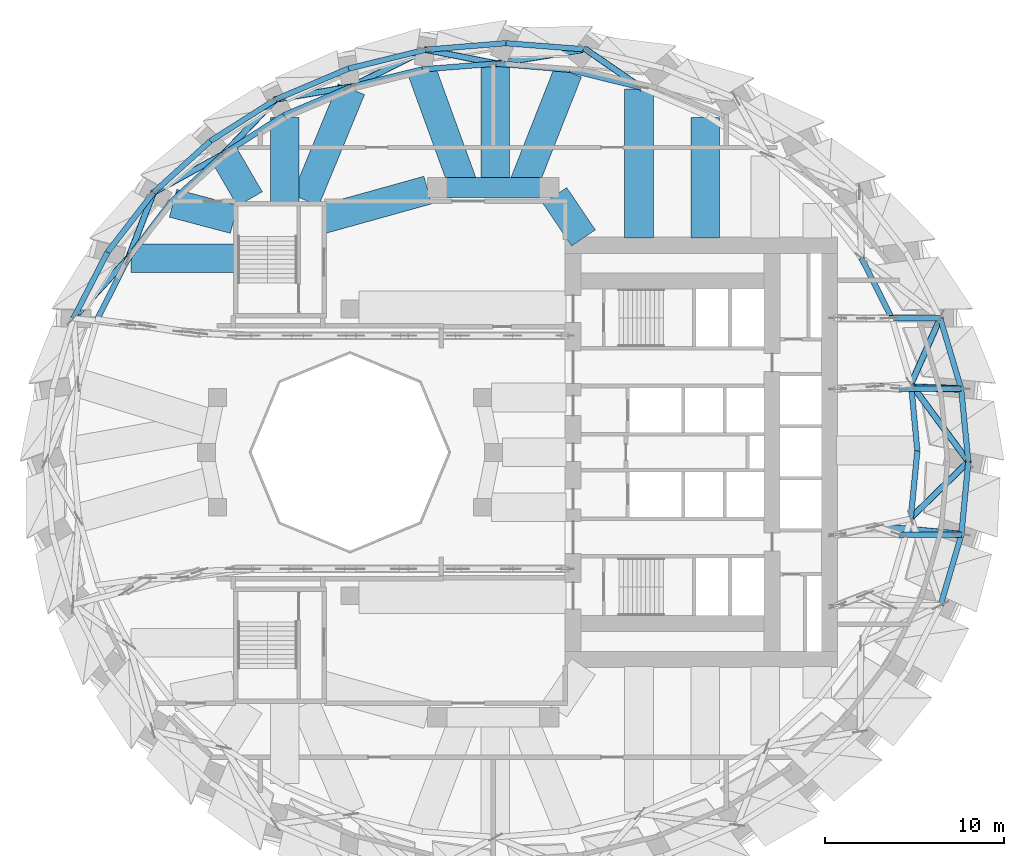
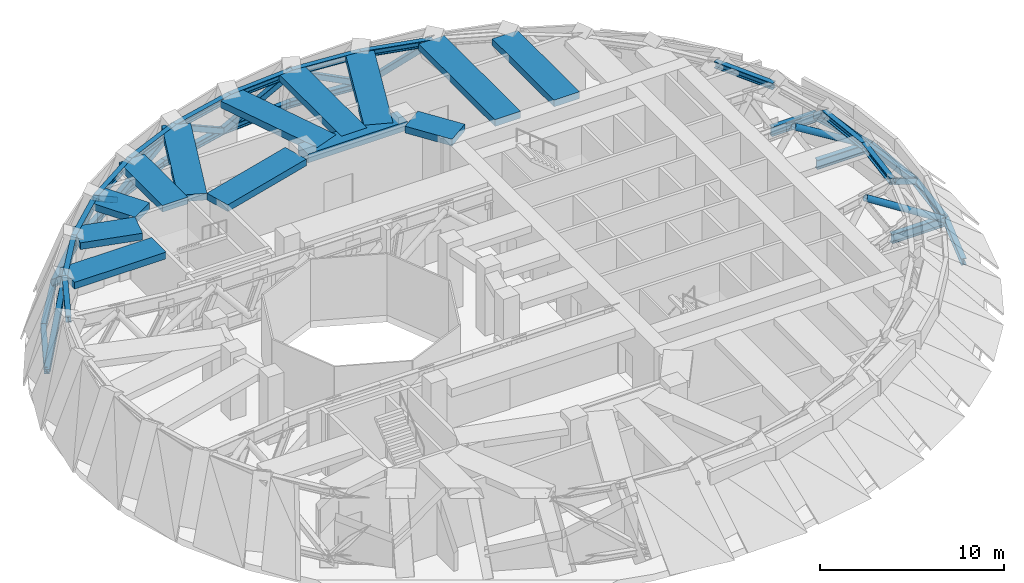
# One storey, part 5 of 14: 41 members, 13 beams.
"""IFC4 building model written with IfcOpenShell, lengths in metres."""

from ifc_helpers import new_model, si_unit, direction, frame, origin, origin_2d, place, context, subcontext, project, spatial, rectangle, hollow_rectangle, hollow_circle, i_section, extrude, material, material_profile, profile_set, type_object, element, save


model = new_model("IFC4")

# Units and contexts
model_context = context("Model", 3, precision=1e-05, world=origin(), true_north=direction((0.0, 1.0)))
body_context = subcontext(model_context, "Body", "Model", "MODEL_VIEW")
ifc_project = project(units=[si_unit("LENGTHUNIT", "METRE"), si_unit("AREAUNIT", "SQUARE_METRE"), si_unit("VOLUMEUNIT", "CUBIC_METRE"), si_unit("PLANEANGLEUNIT", "RADIAN"), si_unit("MASSUNIT", "GRAM", prefix="KILO")], contexts=[model_context])

# Site, building, storey
site_placement = place(None, origin())
site = spatial("IfcSite", under=ifc_project, at=site_placement, CompositionType="ELEMENT")
building_placement = place(site_placement, origin())
building = spatial("IfcBuilding", under=site, at=building_placement, Name="Taillehof Tower", CompositionType="ELEMENT")
storey_placement = place(building_placement, frame((0.0, 0.0, 135.10009765625)))
storey = spatial("IfcBuildingStorey", under=building, at=storey_placement, Name="L38", CompositionType="ELEMENT", Elevation=135.10009765625)

# Members
ifc_material_1 = material(Name="Steel S460M", Category="steel")
ifc_material_profile_1 = material_profile(ifc_material_1, i_section(OverallWidth=0.306884765625, OverallDepth=0.431884765625, WebThickness=0.02099609375, FlangeThickness=0.0400390625, FilletRadius=0.027099609375, at=origin_2d()), Name="HEM 400")
ifc_profile_set_1 = profile_set([ifc_material_profile_1], Name="Steel S460M")
member_type_1 = type_object("IfcMemberType", Name="Belt truss chord HEM 400", PredefinedType="CHORD", material=ifc_profile_set_1)
member_1_placement = place(storey_placement, frame((26.49072265625, -0.523681640625, 0.89990234375), z_axis=(-0.097533121967, 0.99523227948, 0.0), x_axis=(-0.99523227948, -0.097533121967, 0.0)))
element("IfcMember", 1, at=member_1_placement, inside=storey, type_object=member_type_1, Name="Belt truss bottom chord BB01", PredefinedType="CHORD", context=body_context, shape_type="SweptSolid", body=[
    extrude(i_section(OverallWidth=0.306884765625, OverallDepth=0.431884765625, WebThickness=0.02099609375, FlangeThickness=0.0400390625, FilletRadius=0.027099609375, at=origin_2d()), origin(), (0.0, 0.0, 1.0), 4.085205078125),
])
member_2_placement = place(storey_placement, frame((23.647216796875, 0.079345703125, 3.8740234375), z_axis=(-0.093064508535, 0.995660081178, 0.0), x_axis=(-0.995660081178, -0.093064508535, 0.0)))
element("IfcMember", 2, at=member_2_placement, inside=storey, type_object=member_type_1, Name="Belt truss top chord BT01", PredefinedType="CHORD", context=body_context, shape_type="SweptSolid", body=[
    extrude(i_section(OverallWidth=0.306884765625, OverallDepth=0.431884765625, WebThickness=0.02099609375, FlangeThickness=0.0400390625, FilletRadius=0.027099609375, at=origin_2d()), origin(), (0.0, 0.0, 1.0), 3.75146484375),
])
member_3_placement = place(storey_placement, frame((26.09228515625, 3.5419921875, 0.89990234375), z_axis=(-0.284971742656, 0.958535917891, 0.0), x_axis=(-0.958535917891, -0.284971742656, 0.0)))
element("IfcMember", 3, at=member_3_placement, inside=storey, type_object=member_type_1, Name="Belt truss bottom chord BB02", PredefinedType="CHORD", context=body_context, shape_type="SweptSolid", body=[
    extrude(i_section(OverallWidth=0.306884765625, OverallDepth=0.431884765625, WebThickness=0.02099609375, FlangeThickness=0.0400390625, FilletRadius=0.027099609375, at=origin_2d()), origin(), (0.0, 0.0, 1.0), 4.111328125),
])
member_4_placement = place(storey_placement, frame((22.247802734375, 7.438232421875, 3.8740234375), z_axis=(-0.451204473496, 0.892420597643, 0.0), x_axis=(-0.892420597643, -0.451204473496, 0.0)))
element("IfcMember", 4, at=member_4_placement, inside=storey, type_object=member_type_1, Name="Belt truss top chord BT03", PredefinedType="CHORD", context=body_context, shape_type="SweptSolid", body=[
    extrude(i_section(OverallWidth=0.306884765625, OverallDepth=0.431884765625, WebThickness=0.02099609375, FlangeThickness=0.0400390625, FilletRadius=0.027099609375, at=origin_2d()), origin(), (0.0, 0.0, 1.0), 3.81298828125),
])
member_5_placement = place(storey_placement, frame((8.230712890625, 20.351318359375, 3.8740234375), z_axis=(-0.970457688286, 0.24127137262, 0.0), x_axis=(-0.24127137262, -0.970457688286, 0.0)))
element("IfcMember", 5, at=member_5_placement, inside=storey, type_object=member_type_1, Name="Belt truss top chord BT08", PredefinedType="CHORD", context=body_context, shape_type="SweptSolid", body=[
    extrude(i_section(OverallWidth=0.306884765625, OverallDepth=0.431884765625, WebThickness=0.02099609375, FlangeThickness=0.0400390625, FilletRadius=0.027099609375, at=origin_2d()), origin(), (0.0, 0.0, 1.0), 4.090087890625),
])
member_6_placement = place(storey_placement, frame((5.152099609375, 22.47216796875, 0.89990234375), z_axis=(-0.997022944443, 0.077105435964, 0.0), x_axis=(-0.077105435964, -0.997022944443, 0.0)))
element("IfcMember", 6, at=member_6_placement, inside=storey, type_object=member_type_1, Name="Belt truss bottom chord BB09", PredefinedType="CHORD", context=body_context, shape_type="SweptSolid", body=[
    extrude(i_section(OverallWidth=0.306884765625, OverallDepth=0.431884765625, WebThickness=0.02099609375, FlangeThickness=0.0400390625, FilletRadius=0.027099609375, at=origin_2d()), origin(), (0.0, 0.0, 1.0), 4.47412109375),
])
member_7_placement = place(storey_placement, frame((4.261474609375, 21.338134765625, 3.8740234375), z_axis=(-0.996585325526, 0.082569297847, 0.0), x_axis=(-0.082569297847, -0.996585325526, 0.0)))
element("IfcMember", 7, at=member_7_placement, inside=storey, type_object=member_type_1, Name="Belt truss top chord BT09", PredefinedType="CHORD", context=body_context, shape_type="SweptSolid", body=[
    extrude(i_section(OverallWidth=0.306884765625, OverallDepth=0.431884765625, WebThickness=0.02099609375, FlangeThickness=0.0400390625, FilletRadius=0.027099609375, at=origin_2d()), origin(), (0.0, 0.0, 1.0), 4.115966796875),
])
member_8_placement = place(storey_placement, frame((0.69140625, 22.817138671875, 0.89990234375), z_axis=(-0.996722385212, -0.080898002548, 0.0), x_axis=(0.080898002548, -0.996722385212, 0.0)))
element("IfcMember", 8, at=member_8_placement, inside=storey, type_object=member_type_1, Name="Belt truss bottom chord BB10", PredefinedType="CHORD", context=body_context, shape_type="SweptSolid", body=[
    extrude(i_section(OverallWidth=0.306884765625, OverallDepth=0.431884765625, WebThickness=0.02099609375, FlangeThickness=0.0400390625, FilletRadius=0.027099609375, at=origin_2d()), origin(), (0.0, 0.0, 1.0), 4.469482421875),
])
member_9_placement = place(storey_placement, frame((0.15966796875, 21.677978515625, 3.8740234375), z_axis=(-0.996984381487, -0.077602468197, 0.0), x_axis=(0.077602468197, -0.996984381487, 0.0)))
element("IfcMember", 9, at=member_9_placement, inside=storey, type_object=member_type_1, Name="Belt truss top chord BT10", PredefinedType="CHORD", context=body_context, shape_type="SweptSolid", body=[
    extrude(i_section(OverallWidth=0.306884765625, OverallDepth=0.431884765625, WebThickness=0.02099609375, FlangeThickness=0.0400390625, FilletRadius=0.027099609375, at=origin_2d()), origin(), (0.0, 0.0, 1.0), 4.121337890625),
])
member_10_placement = place(storey_placement, frame((-3.763427734375, 22.45556640625, 0.89990234375), z_axis=(-0.97136801119, -0.2375798536, 0.0), x_axis=(0.2375798536, -0.97136801119, 0.0)))
element("IfcMember", 10, at=member_10_placement, inside=storey, type_object=member_type_1, Name="Belt truss bottom chord BB11", PredefinedType="CHORD", context=body_context, shape_type="SweptSolid", body=[
    extrude(i_section(OverallWidth=0.306884765625, OverallDepth=0.431884765625, WebThickness=0.02099609375, FlangeThickness=0.0400390625, FilletRadius=0.027099609375, at=origin_2d()), origin(), (0.0, 0.0, 1.0), 4.4423828125),
])
member_11_placement = place(storey_placement, frame((-3.94921875, 21.358154296875, 3.8740234375), z_axis=(-0.971593742045, -0.236655024072, 0.0), x_axis=(0.236655024072, -0.971593742045, 0.0)))
element("IfcMember", 11, at=member_11_placement, inside=storey, type_object=member_type_1, Name="Belt truss top chord BT11", PredefinedType="CHORD", context=body_context, shape_type="SweptSolid", body=[
    extrude(i_section(OverallWidth=0.306884765625, OverallDepth=0.431884765625, WebThickness=0.02099609375, FlangeThickness=0.0400390625, FilletRadius=0.027099609375, at=origin_2d()), origin(), (0.0, 0.0, 1.0), 4.10595703125),
])
member_12_placement = place(storey_placement, frame((-8.07861328125, 21.400146484375, 0.89990234375), z_axis=(-0.920592066045, -0.390525604711, 0.0), x_axis=(0.390525604711, -0.920592066045, 0.0)))
element("IfcMember", 12, at=member_12_placement, inside=storey, type_object=member_type_1, Name="Belt truss bottom chord BB12", PredefinedType="CHORD", context=body_context, shape_type="SweptSolid", body=[
    extrude(i_section(OverallWidth=0.306884765625, OverallDepth=0.431884765625, WebThickness=0.02099609375, FlangeThickness=0.0400390625, FilletRadius=0.027099609375, at=origin_2d()), origin(), (0.0, 0.0, 1.0), 4.396728515625),
])
member_13_placement = place(storey_placement, frame((-7.9384765625, 20.386474609375, 3.8740234375), z_axis=(-0.920098060124, -0.391688089884, 0.0), x_axis=(0.391688089884, -0.920098060124, 0.0)))
element("IfcMember", 13, at=member_13_placement, inside=storey, type_object=member_type_1, Name="Belt truss top chord BT12", PredefinedType="CHORD", context=body_context, shape_type="SweptSolid", body=[
    extrude(i_section(OverallWidth=0.306884765625, OverallDepth=0.431884765625, WebThickness=0.02099609375, FlangeThickness=0.0400390625, FilletRadius=0.027099609375, at=origin_2d()), origin(), (0.0, 0.0, 1.0), 4.069580078125),
])
member_14_placement = place(storey_placement, frame((-12.126220703125, 19.68310546875, 0.89990234375), z_axis=(-0.843842241941, -0.536591344242, 0.0), x_axis=(0.536591344242, -0.843842241941, 0.0)))
element("IfcMember", 14, at=member_14_placement, inside=storey, type_object=member_type_1, Name="Belt truss bottom chord BB13", PredefinedType="CHORD", context=body_context, shape_type="SweptSolid", body=[
    extrude(i_section(OverallWidth=0.306884765625, OverallDepth=0.431884765625, WebThickness=0.02099609375, FlangeThickness=0.0400390625, FilletRadius=0.027099609375, at=origin_2d()), origin(), (0.0, 0.0, 1.0), 4.3369140625),
])
member_15_placement = place(storey_placement, frame((-11.682861328125, 18.79248046875, 3.8740234375), z_axis=(-0.842018574273, -0.539448533763, 0.0), x_axis=(0.539448533763, -0.842018574273, 0.0)))
element("IfcMember", 15, at=member_15_placement, inside=storey, type_object=member_type_1, Name="Belt truss top chord BT13", PredefinedType="CHORD", context=body_context, shape_type="SweptSolid", body=[
    extrude(i_section(OverallWidth=0.306884765625, OverallDepth=0.431884765625, WebThickness=0.02099609375, FlangeThickness=0.0400390625, FilletRadius=0.027099609375, at=origin_2d()), origin(), (0.0, 0.0, 1.0), 4.017578125),
])
member_16_placement = place(storey_placement, frame((-15.785888671875, 17.35595703125, 0.89990234375), z_axis=(-0.740638294018, -0.67190394956, 0.0), x_axis=(0.67190394956, -0.740638294018, 0.0)))
element("IfcMember", 16, at=member_16_placement, inside=storey, type_object=member_type_1, Name="Belt truss bottom chord BB14", PredefinedType="CHORD", context=body_context, shape_type="SweptSolid", body=[
    extrude(i_section(OverallWidth=0.306884765625, OverallDepth=0.431884765625, WebThickness=0.02099609375, FlangeThickness=0.0400390625, FilletRadius=0.027099609375, at=origin_2d()), origin(), (0.0, 0.0, 1.0), 4.26953125),
])
member_17_placement = place(storey_placement, frame((-15.065673828125, 16.625244140625, 3.8740234375), z_axis=(-0.737353953712, -0.67550658542, 0.0), x_axis=(0.67550658542, -0.737353953712, 0.0)))
element("IfcMember", 17, at=member_17_placement, inside=storey, type_object=member_type_1, Name="Belt truss top chord BT14", PredefinedType="CHORD", context=body_context, shape_type="SweptSolid", body=[
    extrude(i_section(OverallWidth=0.306884765625, OverallDepth=0.431884765625, WebThickness=0.02099609375, FlangeThickness=0.0400390625, FilletRadius=0.027099609375, at=origin_2d()), origin(), (0.0, 0.0, 1.0), 3.955322265625),
])
member_18_placement = place(storey_placement, frame((-18.947998046875, 14.4873046875, 0.89990234375), z_axis=(-0.611346616469, -0.791362947409, 0.0), x_axis=(0.791362947409, -0.611346616469, 0.0)))
element("IfcMember", 18, at=member_18_placement, inside=storey, type_object=member_type_1, Name="Belt truss bottom chord BB15", PredefinedType="CHORD", context=body_context, shape_type="SweptSolid", body=[
    extrude(i_section(OverallWidth=0.306884765625, OverallDepth=0.431884765625, WebThickness=0.02099609375, FlangeThickness=0.0400390625, FilletRadius=0.027099609375, at=origin_2d()), origin(), (0.0, 0.0, 1.0), 4.20166015625),
])
member_19_placement = place(storey_placement, frame((-17.982177734375, 13.953369140625, 3.8740234375), z_axis=(-0.606753647447, -0.794889936601, 0.0), x_axis=(0.794889936601, -0.606753647447, 0.0)))
element("IfcMember", 19, at=member_19_placement, inside=storey, type_object=member_type_1, Name="Belt truss top chord BT15", PredefinedType="CHORD", context=body_context, shape_type="SweptSolid", body=[
    extrude(i_section(OverallWidth=0.306884765625, OverallDepth=0.431884765625, WebThickness=0.02099609375, FlangeThickness=0.0400390625, FilletRadius=0.027099609375, at=origin_2d()), origin(), (0.0, 0.0, 1.0), 3.891845703125),
])
member_20_placement = place(storey_placement, frame((-21.5166015625, 11.162353515625, 0.89990234375), z_axis=(-0.457934001495, -0.888986192398, 0.0), x_axis=(0.888986192398, -0.457934001495, 0.0)))
element("IfcMember", 20, at=member_20_placement, inside=storey, type_object=member_type_1, Name="Belt truss bottom chord BB16", PredefinedType="CHORD", context=body_context, shape_type="SweptSolid", body=[
    extrude(i_section(OverallWidth=0.306884765625, OverallDepth=0.431884765625, WebThickness=0.02099609375, FlangeThickness=0.0400390625, FilletRadius=0.027099609375, at=origin_2d()), origin(), (0.0, 0.0, 1.0), 4.141357421875),
])
member_21_placement = place(storey_placement, frame((-20.343505859375, 10.85986328125, 3.8740234375), z_axis=(-0.452579426701, -0.891724095518, 0.0), x_axis=(0.891724095518, -0.452579426701, 0.0)))
element("IfcMember", 21, at=member_21_placement, inside=storey, type_object=member_type_1, Name="Belt truss top chord BT16", PredefinedType="CHORD", context=body_context, shape_type="SweptSolid", body=[
    extrude(i_section(OverallWidth=0.306884765625, OverallDepth=0.431884765625, WebThickness=0.02099609375, FlangeThickness=0.0400390625, FilletRadius=0.027099609375, at=origin_2d()), origin(), (0.0, 0.0, 1.0), 3.83447265625),
])
member_22_placement = place(storey_placement, frame((24.942626953125, -8.533447265625, 0.89990234375), z_axis=(0.282423566387, 0.959289804568, 0.0), x_axis=(-0.959289804568, 0.282423566387, 0.0)))
element("IfcMember", 22, at=member_22_placement, inside=storey, type_object=member_type_1, Name="Belt truss bottom chord BB35", PredefinedType="CHORD", context=body_context, shape_type="SweptSolid", body=[
    extrude(i_section(OverallWidth=0.306884765625, OverallDepth=0.431884765625, WebThickness=0.02099609375, FlangeThickness=0.0400390625, FilletRadius=0.027099609375, at=origin_2d()), origin(), (0.0, 0.0, 1.0), 4.1103515625),
])
member_23_placement = place(storey_placement, frame((26.103515625, -4.59033203125, 0.89990234375), z_axis=(0.094786529818, 0.995497621175, 0.0), x_axis=(-0.995497621175, 0.094786529818, 0.0)))
element("IfcMember", 23, at=member_23_placement, inside=storey, type_object=member_type_1, Name="Belt truss bottom chord BB36", PredefinedType="CHORD", context=body_context, shape_type="SweptSolid", body=[
    extrude(i_section(OverallWidth=0.306884765625, OverallDepth=0.431884765625, WebThickness=0.02099609375, FlangeThickness=0.0400390625, FilletRadius=0.027099609375, at=origin_2d()), origin(), (0.0, 0.0, 1.0), 4.0849609375),
])
member_24_placement = place(storey_placement, frame((23.28466796875, -3.655029296875, 3.8740234375), z_axis=(0.09662988812, 0.995320382953, 0.0), x_axis=(-0.995320382953, 0.09662988812, 0.0)))
element("IfcMember", 24, at=member_24_placement, inside=storey, type_object=member_type_1, Name="Belt truss top chord BT36", PredefinedType="CHORD", context=body_context, shape_type="SweptSolid", body=[
    extrude(i_section(OverallWidth=0.306884765625, OverallDepth=0.431884765625, WebThickness=0.02099609375, FlangeThickness=0.0400390625, FilletRadius=0.027099609375, at=origin_2d()), origin(), (0.0, 0.0, 1.0), 3.751953125),
])
ifc_material_2 = material(Name="Steel S460M", Category="steel")
ifc_material_profile_2 = material_profile(ifc_material_2, hollow_rectangle(XDim=0.35009765625, YDim=0.35009765625, WallThickness=0.01611328125, InnerFilletRadius=0.01611328125, OuterFilletRadius=0.02392578125, at=origin_2d()), Name="RHS 350x350x16")
ifc_profile_set_2 = profile_set([ifc_material_profile_2], Name="Steel S460M")
member_type_2 = type_object("IfcMemberType", Name="Belt truss diagonal RHS 350x350x16", PredefinedType="BRACE", material=ifc_profile_set_2)
member_25_placement = place(storey_placement, frame((26.49072265625, -0.523681640625, 0.89990234375), z_axis=(-0.51888509832, 0.705059976451, 0.483372200637), x_axis=(-0.805400896119, -0.592730458582, 0.0)))
element("IfcMember", 25, at=member_25_placement, inside=storey, type_object=member_type_2, Name="Belt truss diagonal BX01", PredefinedType="BRACE", context=body_context, shape_type="SweptSolid", body=[
    extrude(hollow_rectangle(XDim=0.35009765625, YDim=0.35009765625, WallThickness=0.01611328125, InnerFilletRadius=0.01611328125, OuterFilletRadius=0.02392578125, at=origin_2d()), origin(), (0.0, 0.0, 1.0), 6.15283203125),
])
member_26_placement = place(storey_placement, frame((23.298095703125, 3.814453125, 3.8740234375), z_axis=(0.324930045236, 0.734637204291, -0.595591003772), x_axis=(-0.914537935695, 0.404500141131, 0.0)))
element("IfcMember", 26, at=member_26_placement, inside=storey, type_object=member_type_2, Name="Belt truss diagonal BX02", PredefinedType="BRACE", context=body_context, shape_type="SweptSolid", body=[
    extrude(hollow_rectangle(XDim=0.35009765625, YDim=0.35009765625, WallThickness=0.01611328125, InnerFilletRadius=0.01611328125, OuterFilletRadius=0.02392578125, at=origin_2d()), origin(), (0.0, 0.0, 1.0), 4.99365234375),
])
member_27_placement = place(storey_placement, frame((8.230712890625, 20.351318359375, 3.8740234375), z_axis=(-0.644444227482, 0.443956146244, -0.622570942044), x_axis=(-0.567310157129, -0.823504211051, 0.0)))
element("IfcMember", 27, at=member_27_placement, inside=storey, type_object=member_type_2, Name="Belt truss diagonal BX08", PredefinedType="BRACE", context=body_context, shape_type="SweptSolid", body=[
    extrude(hollow_rectangle(XDim=0.35009765625, YDim=0.35009765625, WallThickness=0.01611328125, InnerFilletRadius=0.01611328125, OuterFilletRadius=0.02392578125, at=origin_2d()), origin(), (0.0, 0.0, 1.0), 4.777099609375),
])
member_28_placement = place(storey_placement, frame((5.152099609375, 22.47216796875, 0.89990234375), z_axis=(-0.85119625898, -0.135407180325, 0.507079702034), x_axis=(0.157103273043, -0.987582179669, 0.0)))
element("IfcMember", 28, at=member_28_placement, inside=storey, type_object=member_type_2, Name="Belt truss diagonal BX09", PredefinedType="BRACE", context=body_context, shape_type="SweptSolid", body=[
    extrude(hollow_rectangle(XDim=0.35009765625, YDim=0.35009765625, WallThickness=0.01611328125, InnerFilletRadius=0.01611328125, OuterFilletRadius=0.02392578125, at=origin_2d()), origin(), (0.0, 0.0, 1.0), 5.865234375),
])
member_29_placement = place(storey_placement, frame((0.15966796875, 21.677978515625, 3.8740234375), z_axis=(-0.787130644854, 0.156015377675, -0.596728204345), x_axis=(-0.194425392292, -0.980917308866, 0.0)))
element("IfcMember", 29, at=member_29_placement, inside=storey, type_object=member_type_2, Name="Belt truss diagonal BX10", PredefinedType="BRACE", context=body_context, shape_type="SweptSolid", body=[
    extrude(hollow_rectangle(XDim=0.35009765625, YDim=0.35009765625, WallThickness=0.01611328125, InnerFilletRadius=0.01611328125, OuterFilletRadius=0.02392578125, at=origin_2d()), origin(), (0.0, 0.0, 1.0), 4.984130859375),
])
member_30_placement = place(storey_placement, frame((-3.763427734375, 22.45556640625, 0.89990234375), z_axis=(-0.75526985719, -0.374300452587, 0.538021016331), x_axis=(0.444046148736, -0.89600391617, 0.0)))
element("IfcMember", 30, at=member_30_placement, inside=storey, type_object=member_type_2, Name="Belt truss diagonal BX11", PredefinedType="BRACE", context=body_context, shape_type="SweptSolid", body=[
    extrude(hollow_rectangle(XDim=0.35009765625, YDim=0.35009765625, WallThickness=0.01611328125, InnerFilletRadius=0.01611328125, OuterFilletRadius=0.02392578125, at=origin_2d()), origin(), (0.0, 0.0, 1.0), 5.52783203125),
])
member_31_placement = place(storey_placement, frame((-7.9384765625, 20.386474609375, 3.8740234375), z_axis=(-0.807768874971, -0.135672018235, -0.57367460123), x_axis=(0.165638852946, -0.986186478509, 0.0)))
element("IfcMember", 31, at=member_31_placement, inside=storey, type_object=member_type_2, Name="Belt truss diagonal BX12", PredefinedType="BRACE", context=body_context, shape_type="SweptSolid", body=[
    extrude(hollow_rectangle(XDim=0.35009765625, YDim=0.35009765625, WallThickness=0.01611328125, InnerFilletRadius=0.01611328125, OuterFilletRadius=0.02392578125, at=origin_2d()), origin(), (0.0, 0.0, 1.0), 5.184326171875),
])
member_32_placement = place(storey_placement, frame((-12.126220703125, 19.68310546875, 0.89990234375), z_axis=(-0.567420791616, -0.590277858388, 0.574112963743), x_axis=(0.720927072857, -0.693010934706, 0.0)))
element("IfcMember", 32, at=member_32_placement, inside=storey, type_object=member_type_2, Name="Belt truss diagonal BX13", PredefinedType="BRACE", context=body_context, shape_type="SweptSolid", body=[
    extrude(hollow_rectangle(XDim=0.35009765625, YDim=0.35009765625, WallThickness=0.01611328125, InnerFilletRadius=0.01611328125, OuterFilletRadius=0.02392578125, at=origin_2d()), origin(), (0.0, 0.0, 1.0), 5.180419921875),
])
member_33_placement = place(storey_placement, frame((-15.065673828125, 16.625244140625, 3.8740234375), z_axis=(-0.72737115458, -0.400552710392, -0.557215155647), x_axis=(0.482379663421, -0.875962248226, 0.0)))
element("IfcMember", 33, at=member_33_placement, inside=storey, type_object=member_type_2, Name="Belt truss diagonal BX14", PredefinedType="BRACE", context=body_context, shape_type="SweptSolid", body=[
    extrude(hollow_rectangle(XDim=0.35009765625, YDim=0.35009765625, WallThickness=0.01611328125, InnerFilletRadius=0.01611328125, OuterFilletRadius=0.02392578125, at=origin_2d()), origin(), (0.0, 0.0, 1.0), 5.33740234375),
])
member_34_placement = place(storey_placement, frame((-18.947998046875, 14.4873046875, 0.89990234375), z_axis=(-0.285147067852, -0.741202787639, 0.607708464061), x_axis=(0.933316461799, -0.359054845581, 0.0)))
element("IfcMember", 34, at=member_34_placement, inside=storey, type_object=member_type_2, Name="Belt truss diagonal BX15", PredefinedType="BRACE", context=body_context, shape_type="SweptSolid", body=[
    extrude(hollow_rectangle(XDim=0.35009765625, YDim=0.35009765625, WallThickness=0.01611328125, InnerFilletRadius=0.01611328125, OuterFilletRadius=0.02392578125, at=origin_2d()), origin(), (0.0, 0.0, 1.0), 4.89404296875),
])
member_35_placement = place(storey_placement, frame((-20.343505859375, 10.85986328125, 3.8740234375), z_axis=(-0.563378642949, -0.620195959362, -0.545858476768), x_axis=(0.740198942693, -0.672387927641, 0.0)))
element("IfcMember", 35, at=member_35_placement, inside=storey, type_object=member_type_2, Name="Belt truss diagonal BX16", PredefinedType="BRACE", context=body_context, shape_type="SweptSolid", body=[
    extrude(hollow_rectangle(XDim=0.35009765625, YDim=0.35009765625, WallThickness=0.01611328125, InnerFilletRadius=0.01611328125, OuterFilletRadius=0.02392578125, at=origin_2d()), origin(), (0.0, 0.0, 1.0), 5.448486328125),
])
member_36_placement = place(storey_placement, frame((23.28466796875, -3.655029296875, 3.8740234375), z_axis=(0.596074171778, 0.582184536036, -0.552952753624), x_axis=(-0.698722666404, 0.715392644255, 0.0)))
element("IfcMember", 36, at=member_36_placement, inside=storey, type_object=member_type_2, Name="Belt truss diagonal BX36", PredefinedType="BRACE", context=body_context, shape_type="SweptSolid", body=[
    extrude(hollow_rectangle(XDim=0.35009765625, YDim=0.35009765625, WallThickness=0.01611328125, InnerFilletRadius=0.01611328125, OuterFilletRadius=0.02392578125, at=origin_2d()), origin(), (0.0, 0.0, 1.0), 5.378662109375),
])

# Beam
ifc_material_3 = material(Name="Concrete C50/60", Category="concrete")
ifc_material_profile_3 = material_profile(ifc_material_3, rectangle(XDim=1.10009765625, YDim=0.60009765625, at=origin_2d()), Name="RC 1100x600")
ifc_profile_set_3 = profile_set([ifc_material_profile_3], Name="Concrete C50/60")
beam_type_1 = type_object("IfcBeamType", Name="Mid-ring beam C50/60 1100x600", PredefinedType="BEAM", material=ifc_profile_set_3)
beam_1_placement = place(storey_placement, frame((3.125732421875, 14.772216796875, 3.789794921875), z_axis=(-1.0, 0.0, 0.0), x_axis=(0.0, -1.0, 0.0)))
element("IfcBeam", 37, at=beam_1_placement, inside=storey, type_object=beam_type_1, Name="Mid-ring beam MB01", PredefinedType="BEAM", context=body_context, shape_type="SweptSolid", body=[
    extrude(rectangle(XDim=1.10009765625, YDim=0.60009765625, at=origin_2d()), origin(), (0.0, 0.0, 1.0), 6.25146484375),
])

# Members
ifc_material_4 = material(Name="Steel S460M", Category="steel")
ifc_material_profile_4 = material_profile(ifc_material_4, i_section(OverallWidth=0.304931640625, OverallDepth=0.6201171875, WebThickness=0.02099609375, FlangeThickness=0.0400390625, FilletRadius=0.027099609375, at=origin_2d()), Name="HEM 600")
ifc_profile_set_4 = profile_set([ifc_material_profile_4], Name="Steel S460M")
member_type_3 = type_object("IfcMemberType", Name="Outrigger chord HEM 600", PredefinedType="CHORD", material=ifc_profile_set_4)
member_37_placement = place(storey_placement, frame((22.646240234375, 3.5419921875, 0.89990234375), z_axis=(1.0, 0.0, 0.0), x_axis=(0.0, 1.0, 0.0)))
element("IfcMember", 38, at=member_37_placement, inside=storey, type_object=member_type_3, Name="Outrigger OT1 bottom chord 02", PredefinedType="CHORD", context=body_context, shape_type="SweptSolid", body=[
    extrude(i_section(OverallWidth=0.304931640625, OverallDepth=0.6201171875, WebThickness=0.02099609375, FlangeThickness=0.0400390625, FilletRadius=0.027099609375, at=origin_2d()), origin(), (0.0, 0.0, 1.0), 3.446044921875),
])
member_38_placement = place(storey_placement, frame((22.060302734375, 7.48291015625, 0.89990234375), z_axis=(1.0, 0.0, 0.0), x_axis=(0.0, 1.0, 0.0)))
element("IfcMember", 39, at=member_38_placement, inside=storey, type_object=member_type_3, Name="Outrigger OT2 bottom chord 02", PredefinedType="CHORD", context=body_context, shape_type="SweptSolid", body=[
    extrude(i_section(OverallWidth=0.304931640625, OverallDepth=0.6201171875, WebThickness=0.02099609375, FlangeThickness=0.0400390625, FilletRadius=0.027099609375, at=origin_2d()), origin(), (0.0, 0.0, 1.0), 2.8603515625),
])
member_39_placement = place(storey_placement, frame((22.65185546875, -4.59033203125, 0.89990234375), z_axis=(1.0, 0.0, 0.0), x_axis=(0.0, 1.0, 0.0)))
element("IfcMember", 40, at=member_39_placement, inside=storey, type_object=member_type_3, Name="Outrigger OT4 bottom chord 02", PredefinedType="CHORD", context=body_context, shape_type="SweptSolid", body=[
    extrude(i_section(OverallWidth=0.304931640625, OverallDepth=0.6201171875, WebThickness=0.02099609375, FlangeThickness=0.0400390625, FilletRadius=0.027099609375, at=origin_2d()), origin(), (0.0, 0.0, 1.0), 3.45166015625),
])
ifc_material_5 = material(Name="Steel S460M", Category="steel")
ifc_material_profile_5 = material_profile(ifc_material_5, hollow_circle(Radius=0.203125, WallThickness=0.02001953125, at=origin_2d()), Name="CHS 406.4x20")
ifc_profile_set_5 = profile_set([ifc_material_profile_5], Name="Steel S460M")
member_type_4 = type_object("IfcMemberType", Name="Outrigger diagonal CHS 406.4x20", PredefinedType="BRACE", material=ifc_profile_set_5)
member_40_placement = place(storey_placement, frame((21.293212890625, 3.674072265625, 3.77978515625), z_axis=(0.857219619115, -0.023592400363, -0.514410267441), x_axis=(0.027511584842, 0.999621484713, 0.0)))
element("IfcMember", 41, at=member_40_placement, inside=storey, type_object=member_type_4, Name="Outrigger OT1 diagonal 02", PredefinedType="BRACE", context=body_context, shape_type="SweptSolid", body=[
    extrude(hollow_circle(Radius=0.203125, WallThickness=0.02001953125, at=origin_2d()), origin(), (0.0, 0.0, 1.0), 5.598388671875),
])
member_41_placement = place(storey_placement, frame((21.286865234375, -4.137451171875, 3.77978515625), z_axis=(0.855505304079, -0.080438052566, -0.51150796122), x_axis=(0.093611150544, 0.995608835082, 0.0)))
element("IfcMember", 42, at=member_41_placement, inside=storey, type_object=member_type_4, Name="Outrigger OT4 diagonal 02", PredefinedType="BRACE", context=body_context, shape_type="SweptSolid", body=[
    extrude(hollow_circle(Radius=0.203125, WallThickness=0.02001953125, at=origin_2d()), origin(), (0.0, 0.0, 1.0), 5.630126953125),
])

# Beams
ifc_material_6 = material(Name="Concrete C50/60", Category="concrete")
ifc_material_profile_6 = material_profile(ifc_material_6, rectangle(XDim=1.60009765625, YDim=0.449951171875, at=origin_2d()), Name="RC 1600x450")
ifc_profile_set_6 = profile_set([ifc_material_profile_6], Name="Concrete C50/60")
beam_type_2 = type_object("IfcBeamType", Name="Radial band beam C50/60 1600x450", PredefinedType="BEAM", material=ifc_profile_set_6)
beam_2_placement = place(storey_placement, frame((11.824951171875, 18.67626953125, 3.864990234375), z_axis=(0.0, -1.0, 0.0), x_axis=(1.0, 0.0, 0.0)))
element("IfcBeam", 43, at=beam_2_placement, inside=storey, type_object=beam_type_2, Name="Radial band beam RB07", PredefinedType="BEAM", context=body_context, shape_type="SweptSolid", body=[
    extrude(rectangle(XDim=1.60009765625, YDim=0.449951171875, at=origin_2d()), origin(), (0.0, 0.0, 1.0), 6.726318359375),
])
beam_3_placement = place(storey_placement, frame((8.120361328125, 20.25634765625, 3.864990234375), z_axis=(0.0, -1.0, 0.0), x_axis=(1.0, 0.0, 0.0)))
element("IfcBeam", 44, at=beam_3_placement, inside=storey, type_object=beam_type_2, Name="Radial band beam RB08", PredefinedType="BEAM", context=body_context, shape_type="SweptSolid", body=[
    extrude(rectangle(XDim=1.60009765625, YDim=0.449951171875, at=origin_2d()), origin(), (0.0, 0.0, 1.0), 8.306396484375),
])
beam_4_placement = place(storey_placement, frame((4.172119140625, 21.22412109375, 3.864990234375), z_axis=(-0.36711444375, -0.930175781877, 0.0), x_axis=(0.930175781877, -0.36711444375, 0.0)))
element("IfcBeam", 45, at=beam_4_placement, inside=storey, type_object=beam_type_2, Name="Radial band beam RB09", PredefinedType="BEAM", context=body_context, shape_type="SweptSolid", body=[
    extrude(rectangle(XDim=1.60009765625, YDim=0.449951171875, at=origin_2d()), origin(), (0.0, 0.0, 1.0), 6.936279296875),
])
beam_5_placement = place(storey_placement, frame((0.10009765625, 21.550048828125, 3.864990234375), z_axis=(0.0, -1.0, 0.0), x_axis=(1.0, 0.0, 0.0)))
element("IfcBeam", 46, at=beam_5_placement, inside=storey, type_object=beam_type_2, Name="Radial band beam RB10", PredefinedType="BEAM", context=body_context, shape_type="SweptSolid", body=[
    extrude(rectangle(XDim=1.60009765625, YDim=0.449951171875, at=origin_2d()), origin(), (0.0, 0.0, 1.0), 6.77783203125),
])
beam_6_placement = place(storey_placement, frame((-3.97216796875, 21.22412109375, 3.864990234375), z_axis=(0.341780181607, -0.939779925015, 0.0), x_axis=(0.939779925015, 0.341780181607, 0.0)))
element("IfcBeam", 47, at=beam_6_placement, inside=storey, type_object=beam_type_2, Name="Radial band beam RB11", PredefinedType="BEAM", context=body_context, shape_type="SweptSolid", body=[
    extrude(rectangle(XDim=1.60009765625, YDim=0.449951171875, at=origin_2d()), origin(), (0.0, 0.0, 1.0), 6.865234375),
])
beam_7_placement = place(storey_placement, frame((-7.92041015625, 20.25634765625, 3.864990234375), z_axis=(-0.381178120484, -0.92450161734, 0.0), x_axis=(0.92450161734, -0.381178120484, 0.0)))
element("IfcBeam", 48, at=beam_7_placement, inside=storey, type_object=beam_type_2, Name="Radial band beam RB12", PredefinedType="BEAM", context=body_context, shape_type="SweptSolid", body=[
    extrude(rectangle(XDim=1.60009765625, YDim=0.449951171875, at=origin_2d()), origin(), (0.0, 0.0, 1.0), 6.707763671875),
])
beam_8_placement = place(storey_placement, frame((-11.625, 18.67626953125, 3.864990234375), z_axis=(0.0, -1.0, 0.0), x_axis=(1.0, 0.0, 0.0)))
element("IfcBeam", 49, at=beam_8_placement, inside=storey, type_object=beam_type_2, Name="Radial band beam RB13", PredefinedType="BEAM", context=body_context, shape_type="SweptSolid", body=[
    extrude(rectangle(XDim=1.60009765625, YDim=0.449951171875, at=origin_2d()), origin(), (0.0, 0.0, 1.0), 4.726318359375),
])
beam_9_placement = place(storey_placement, frame((-14.973388671875, 16.53173828125, 3.864990234375), z_axis=(0.502991419937, -0.864291404255, 0.0), x_axis=(0.864291404255, 0.502991419937, 0.0)))
element("IfcBeam", 50, at=beam_9_placement, inside=storey, type_object=beam_type_2, Name="Radial band beam RB14", PredefinedType="BEAM", context=body_context, shape_type="SweptSolid", body=[
    extrude(rectangle(XDim=1.60009765625, YDim=0.449951171875, at=origin_2d()), origin(), (0.0, 0.0, 1.0), 2.779296875),
])
beam_10_placement = place(storey_placement, frame((-17.86376953125, 13.8876953125, 3.864990234375), z_axis=(0.966893703358, -0.255179478813, 0.0), x_axis=(0.255179478813, 0.966893703358, 0.0)))
element("IfcBeam", 51, at=beam_10_placement, inside=storey, type_object=beam_type_2, Name="Radial band beam RB15", PredefinedType="BEAM", context=body_context, shape_type="SweptSolid", body=[
    extrude(rectangle(XDim=1.60009765625, YDim=0.449951171875, at=origin_2d()), origin(), (0.0, 0.0, 1.0), 3.519775390625),
])
beam_11_placement = place(storey_placement, frame((-20.208251953125, 10.824951171875, 3.864990234375), z_axis=(1.0, 0.0, 0.0), x_axis=(0.0, 1.0, 0.0)))
element("IfcBeam", 52, at=beam_11_placement, inside=storey, type_object=beam_type_2, Name="Radial band beam RB16", PredefinedType="BEAM", context=body_context, shape_type="SweptSolid", body=[
    extrude(rectangle(XDim=1.60009765625, YDim=0.449951171875, at=origin_2d()), origin(), (0.0, 0.0, 1.0), 5.75830078125),
])
beam_12_placement = place(storey_placement, frame((3.433837890625, 14.31640625, 3.864990234375), z_axis=(0.560112043398, -0.828416862962, 0.0), x_axis=(0.828416862962, 0.560112043398, 0.0)))
element("IfcBeam", 53, at=beam_12_placement, inside=storey, type_object=beam_type_2, Name="Inner band beam IB205", PredefinedType="BEAM", context=body_context, shape_type="SweptSolid", body=[
    extrude(rectangle(XDim=1.60009765625, YDim=0.449951171875, at=origin_2d()), origin(), (0.0, 0.0, 1.0), 2.84619140625),
])
beam_13_placement = place(storey_placement, frame((-3.655517578125, 14.624755859375, 3.864990234375), z_axis=(-0.963459369536, -0.267854518821, 0.0), x_axis=(0.267854518821, -0.963459369536, 0.0)))
element("IfcBeam", 54, at=beam_13_placement, inside=storey, type_object=beam_type_2, Name="Inner band beam IB206", PredefinedType="BEAM", context=body_context, shape_type="SweptSolid", body=[
    extrude(rectangle(XDim=1.60009765625, YDim=0.449951171875, at=origin_2d()), origin(), (0.0, 0.0, 1.0), 6.096923828125),
])

save(model, "model.ifc")
